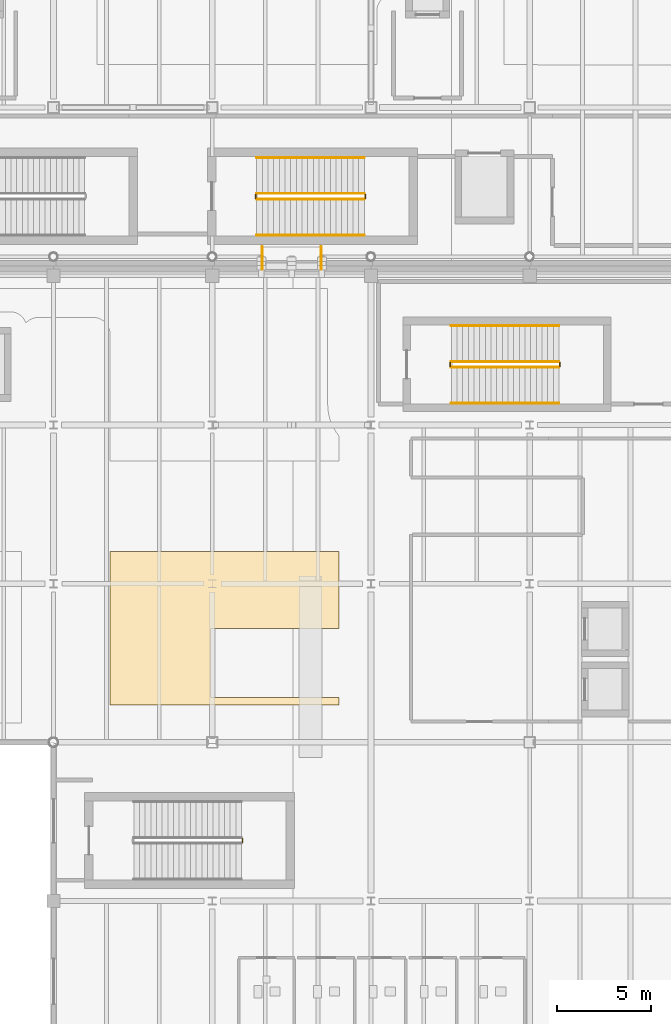
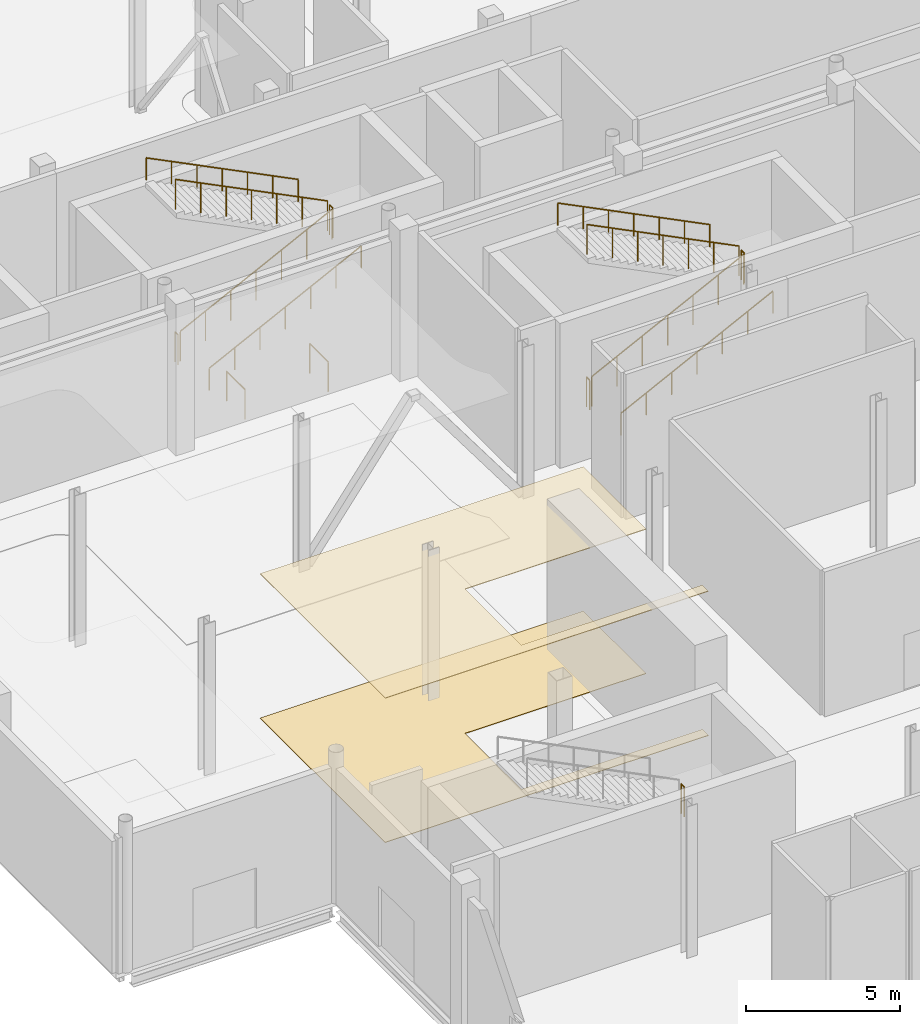
# One storey, part 80 of 85: 15 railings, 2 coverings.
"""IFC4 building model written with IfcOpenShell, lengths in metres."""

from ifc_helpers import new_model, si_unit, direction, frame, origin, origin_2d, place, context, subcontext, project, spatial, polyline, circle, outline, extrude, material, layer, layer_set, type_object, element, save


model = new_model("IFC4")

# Units and contexts
model_context = context("Model", 3, precision=1e-05, world=origin(), true_north=direction((0.0, 1.0)))
body_context = subcontext(model_context, "Body", "Model", "MODEL_VIEW")
ifc_project = project(units=[si_unit("LENGTHUNIT", "METRE"), si_unit("AREAUNIT", "SQUARE_METRE"), si_unit("VOLUMEUNIT", "CUBIC_METRE"), si_unit("PLANEANGLEUNIT", "RADIAN"), si_unit("MASSUNIT", "GRAM", prefix="KILO"), si_unit("THERMODYNAMICTEMPERATUREUNIT", "KELVIN")], contexts=[model_context])

# Site, building, storey
site_placement = place(None, origin())
site = spatial("IfcSite", under=ifc_project, at=site_placement, CompositionType="ELEMENT")
building_placement = place(site_placement, origin())
building = spatial("IfcBuilding", under=site, at=building_placement, Name="Lustrewick Department Store", CompositionType="ELEMENT")
storey_placement = place(building_placement, origin())
storey = spatial("IfcBuildingStorey", under=building, at=storey_placement, Name="L01", CompositionType="ELEMENT", Elevation=0.0)

# Coverings
ifc_material_1 = material(Name="Perforated mineral-fibre acoustic ceiling board", Category="gypsum")
ifc_layer_1 = layer(ifc_material_1, 0.02490234375, Name="Perforated mineral-fibre acoustic ceiling board")
ifc_layer_set_1 = layer_set([ifc_layer_1], Name="Perforated mineral-fibre acoustic ceiling board")
covering_type_1 = type_object("IfcCoveringType", Name="COV-CEIL", PredefinedType="CEILING", material=ifc_layer_set_1)
covering_1_placement = place(storey_placement, frame((0.0, 0.0, 5.719970703125)))
element("IfcCovering", 1, at=covering_1_placement, inside=storey, type_object=covering_type_1, Name="L01 V3 Merchandise Display Alcove 1 Acoustic Ceiling", PredefinedType="CEILING", context=body_context, shape_type="SweptSolid", body=[
    extrude(outline(polyline([(120.590087890625, 27.176513671875), (132.7099609375, 27.176513671875), (132.7099609375, 27.570068359375), (125.919921875, 27.570068359375), (125.919921875, 31.22998046875), (132.7099609375, 31.22998046875), (132.7099609375, 35.31005859375), (120.590087890625, 35.31005859375), (120.590087890625, 27.176513671875)])), origin(), (0.0, 0.0, 1.0), 0.025146484375),
])
ifc_material_2 = material(Name="Polished terrazzo and porcelain floor finish", Category="masonry")
ifc_layer_2 = layer(ifc_material_2, 0.02001953125, Name="Polished terrazzo and porcelain floor finish")
ifc_layer_set_2 = layer_set([ifc_layer_2], Name="Polished terrazzo and porcelain floor finish")
covering_type_2 = type_object("IfcCoveringType", Name="COV-FLR", PredefinedType="FLOORING", material=ifc_layer_set_2)
covering_2_placement = place(storey_placement, origin())
element("IfcCovering", 2, at=covering_2_placement, inside=storey, type_object=covering_type_2, Name="L01 V3 Merchandise Display Alcove 1 Terrazzo Flooring", PredefinedType="FLOORING", context=body_context, shape_type="SweptSolid", body=[
    extrude(outline(polyline([(120.590087890625, 27.176513671875), (132.7099609375, 27.176513671875), (132.7099609375, 27.570068359375), (125.919921875, 27.570068359375), (125.919921875, 31.22998046875), (132.7099609375, 31.22998046875), (132.7099609375, 35.31005859375), (120.590087890625, 35.31005859375), (120.590087890625, 27.176513671875)])), origin(), (0.0, 0.0, 1.0), 0.02001953125),
])

# Railings
ifc_material_3 = material(Name="Laminated safety glass and bronze atrium balustrade", Category="glass")
railing_type_1 = type_object("IfcRailingType", Name="RL-BAL", PredefinedType="BALUSTRADE", material=ifc_material_3)
for number, where, name in (
    (3, (128.639892578125, 50.239990234375, 0.0), "L01 Skybridge SB34 West Guard 0011"),
    (4, (131.760009765625, 50.239990234375, 0.0), "L01 Skybridge SB34 East Guard 0012"),
):
    element("IfcRailing", number, at=place(storey_placement, frame(where)), inside=storey, type_object=railing_type_1, Name=name, PredefinedType="BALUSTRADE", context=body_context, shape_type="SweptSolid", body=[
        extrude(circle(Radius=0.02392578125, at=origin_2d()), frame((0.0, 0.0, 1.17578125), z_axis=(0.0, 1.0, 0.0), x_axis=(-1.0, 0.0, 0.0)), (0.0, 0.0, 1.0), 1.18994140625),
        extrude(circle(Radius=0.02099609375, at=origin_2d()), origin(), (0.0, 0.0, 1.0), 1.15185546875),
        extrude(circle(Radius=0.02099609375, at=origin_2d()), frame((0.0, 1.18994140625, 0.0)), (0.0, 0.0, 1.0), 1.15185546875),
    ])
ifc_material_4 = material(Name="Painted tubular steel stairwell guardrail", Category="steel")
railing_type_2 = type_object("IfcRailingType", Name="RL-STG", PredefinedType="GUARDRAIL", material=ifc_material_4)
railing_1_placement = place(storey_placement, frame((127.60009765625, 19.89990234375, 3.0)))
element("IfcRailing", 5, at=railing_1_placement, inside=storey, type_object=railing_type_2, Name="L01 ST07 Stair Guard 2", PredefinedType="GUARDRAIL", context=body_context, shape_type="SweptSolid", body=[
    extrude(circle(Radius=0.02392578125, at=origin_2d()), frame((0.0, 0.0, 1.17578125), z_axis=(0.0, 1.0, 0.0), x_axis=(-1.0, 0.0, 0.0)), (0.0, 0.0, 1.0), 0.2001953125),
    extrude(circle(Radius=0.02099609375, at=origin_2d()), origin(), (0.0, 0.0, 1.0), 1.15185546875),
    extrude(circle(Radius=0.02099609375, at=origin_2d()), frame((0.0, 0.2001953125, 0.0)), (0.0, 0.0, 1.0), 1.15185546875),
])
railing_2_placement = place(storey_placement, frame((138.64990234375, 45.050048828125, 0.14990234375)))
element("IfcRailing", 6, at=railing_2_placement, inside=storey, type_object=railing_type_2, Name="L01 ST08 Stair Guard 1", PredefinedType="GUARDRAIL", context=body_context, shape_type="SweptSolid", body=[
    extrude(circle(Radius=0.02392578125, at=origin_2d()), frame((0.0, 0.0, 1.17578125), z_axis=(0.894427191, 0.0, 0.4472135955), x_axis=(0.0, 1.0, 0.0)), (0.0, 0.0, 1.0), 6.373046875),
    extrude(circle(Radius=0.02099609375, at=origin_2d()), origin(), (0.0, 0.0, 1.0), 1.15185546875),
    extrude(circle(Radius=0.02099609375, at=origin_2d()), frame((0.949951171875, 0.0, 0.47509765625)), (0.0, 0.0, 1.0), 1.15185546875),
    extrude(circle(Radius=0.02099609375, at=origin_2d()), frame((1.900146484375, 0.0, 0.949951171875)), (0.0, 0.0, 1.0), 1.15185546875),
    extrude(circle(Radius=0.02099609375, at=origin_2d()), frame((2.85009765625, 0.0, 1.425048828125)), (0.0, 0.0, 1.0), 1.15185546875),
    extrude(circle(Radius=0.02099609375, at=origin_2d()), frame((3.800048828125, 0.0, 1.900146484375)), (0.0, 0.0, 1.0), 1.15185546875),
    extrude(circle(Radius=0.02099609375, at=origin_2d()), frame((4.750244140625, 0.0, 2.375)), (0.0, 0.0, 1.0), 1.15185546875),
    extrude(circle(Radius=0.02099609375, at=origin_2d()), frame((5.7001953125, 0.0, 2.85009765625)), (0.0, 0.0, 1.0), 1.15185546875),
])
railing_3_placement = place(storey_placement, frame((144.39990234375, 45.10009765625, 3.0)))
element("IfcRailing", 7, at=railing_3_placement, inside=storey, type_object=railing_type_2, Name="L01 ST08 Stair Guard 2", PredefinedType="GUARDRAIL", context=body_context, shape_type="SweptSolid", body=[
    extrude(circle(Radius=0.02392578125, at=origin_2d()), frame((0.0, 0.0, 1.17578125), z_axis=(0.0, 1.0, 0.0), x_axis=(-1.0, 0.0, 0.0)), (0.0, 0.0, 1.0), 0.199951171875),
    extrude(circle(Radius=0.02099609375, at=origin_2d()), origin(), (0.0, 0.0, 1.0), 1.15185546875),
    extrude(circle(Radius=0.02099609375, at=origin_2d()), frame((0.0, 0.199951171875, 0.0)), (0.0, 0.0, 1.0), 1.15185546875),
])
railing_4_placement = place(storey_placement, frame((144.35009765625, 45.35009765625, 3.14990234375)))
element("IfcRailing", 8, at=railing_4_placement, inside=storey, type_object=railing_type_2, Name="L01 ST08 Stair Guard 3", PredefinedType="GUARDRAIL", context=body_context, shape_type="SweptSolid", body=[
    extrude(circle(Radius=0.02392578125, at=origin_2d()), frame((0.0, 0.0, 1.17578125), z_axis=(-0.894427191, 0.0, 0.4472135955), x_axis=(0.0, -1.0, 0.0)), (0.0, 0.0, 1.0), 6.373046875),
    extrude(circle(Radius=0.02099609375, at=origin_2d()), origin(), (0.0, 0.0, 1.0), 1.15185546875),
    extrude(circle(Radius=0.02099609375, at=origin_2d()), frame((-0.949951171875, 0.0, 0.47509765625)), (0.0, 0.0, 1.0), 1.15185546875),
    extrude(circle(Radius=0.02099609375, at=origin_2d()), frame((-1.900146484375, 0.0, 0.949951171875)), (0.0, 0.0, 1.0), 1.15185546875),
    extrude(circle(Radius=0.02099609375, at=origin_2d()), frame((-2.85009765625, 0.0, 1.425048828125)), (0.0, 0.0, 1.0), 1.15185546875),
    extrude(circle(Radius=0.02099609375, at=origin_2d()), frame((-3.800048828125, 0.0, 1.900146484375)), (0.0, 0.0, 1.0), 1.15185546875),
    extrude(circle(Radius=0.02099609375, at=origin_2d()), frame((-4.750244140625, 0.0, 2.375)), (0.0, 0.0, 1.0), 1.15185546875),
    extrude(circle(Radius=0.02099609375, at=origin_2d()), frame((-5.7001953125, 0.0, 2.85009765625)), (0.0, 0.0, 1.0), 1.15185546875),
])
railing_5_placement = place(storey_placement, frame((138.60009765625, 45.10009765625, 0.0)))
element("IfcRailing", 9, at=railing_5_placement, inside=storey, type_object=railing_type_2, Name="L01 ST08 Stair Guard 4", PredefinedType="GUARDRAIL", context=body_context, shape_type="SweptSolid", body=[
    extrude(circle(Radius=0.02392578125, at=origin_2d()), frame((0.0, 0.0, 1.17578125), z_axis=(0.0, 1.0, 0.0), x_axis=(-1.0, 0.0, 0.0)), (0.0, 0.0, 1.0), 0.199951171875),
    extrude(circle(Radius=0.02099609375, at=origin_2d()), origin(), (0.0, 0.0, 1.0), 1.15185546875),
    extrude(circle(Radius=0.02099609375, at=origin_2d()), frame((0.0, 0.199951171875, 0.0)), (0.0, 0.0, 1.0), 1.15185546875),
])
railing_6_placement = place(storey_placement, frame((128.35009765625, 53.949951171875, 0.14990234375)))
element("IfcRailing", 10, at=railing_6_placement, inside=storey, type_object=railing_type_2, Name="L01 ST11 Stair Guard 1", PredefinedType="GUARDRAIL", context=body_context, shape_type="SweptSolid", body=[
    extrude(circle(Radius=0.02392578125, at=origin_2d()), frame((0.0, 0.0, 1.17578125), z_axis=(0.894419528903, 0.0, 0.447228919365), x_axis=(0.0, 1.0, 0.0)), (0.0, 0.0, 1.0), 6.372802734375),
    extrude(circle(Radius=0.02099609375, at=origin_2d()), origin(), (0.0, 0.0, 1.0), 1.15185546875),
    extrude(circle(Radius=0.02099609375, at=origin_2d()), frame((0.949951171875, 0.0, 0.47509765625)), (0.0, 0.0, 1.0), 1.15185546875),
    extrude(circle(Radius=0.02099609375, at=origin_2d()), frame((1.89990234375, 0.0, 0.949951171875)), (0.0, 0.0, 1.0), 1.15185546875),
    extrude(circle(Radius=0.02099609375, at=origin_2d()), frame((2.85009765625, 0.0, 1.425048828125)), (0.0, 0.0, 1.0), 1.15185546875),
    extrude(circle(Radius=0.02099609375, at=origin_2d()), frame((3.800048828125, 0.0, 1.900146484375)), (0.0, 0.0, 1.0), 1.15185546875),
    extrude(circle(Radius=0.02099609375, at=origin_2d()), frame((4.75, 0.0, 2.375)), (0.0, 0.0, 1.0), 1.15185546875),
    extrude(circle(Radius=0.02099609375, at=origin_2d()), frame((5.699951171875, 0.0, 2.85009765625)), (0.0, 0.0, 1.0), 1.15185546875),
])
railing_7_placement = place(storey_placement, frame((134.10009765625, 54.0, 3.0)))
element("IfcRailing", 11, at=railing_7_placement, inside=storey, type_object=railing_type_2, Name="L01 ST11 Stair Guard 2", PredefinedType="GUARDRAIL", context=body_context, shape_type="SweptSolid", body=[
    extrude(circle(Radius=0.02392578125, at=origin_2d()), frame((0.0, 0.0, 1.17578125), z_axis=(0.0, 1.0, 0.0), x_axis=(-1.0, 0.0, 0.0)), (0.0, 0.0, 1.0), 0.199951171875),
    extrude(circle(Radius=0.02099609375, at=origin_2d()), origin(), (0.0, 0.0, 1.0), 1.15185546875),
    extrude(circle(Radius=0.02099609375, at=origin_2d()), frame((0.0, 0.199951171875, 0.0)), (0.0, 0.0, 1.0), 1.15185546875),
])
railing_8_placement = place(storey_placement, frame((134.050048828125, 54.25, 3.14990234375)))
element("IfcRailing", 12, at=railing_8_placement, inside=storey, type_object=railing_type_2, Name="L01 ST11 Stair Guard 3", PredefinedType="GUARDRAIL", context=body_context, shape_type="SweptSolid", body=[
    extrude(circle(Radius=0.02392578125, at=origin_2d()), frame((0.0, 0.0, 1.17578125), z_axis=(-0.894419528903, 0.0, 0.447228919365), x_axis=(0.0, -1.0, 0.0)), (0.0, 0.0, 1.0), 6.372802734375),
    extrude(circle(Radius=0.02099609375, at=origin_2d()), origin(), (0.0, 0.0, 1.0), 1.15185546875),
    extrude(circle(Radius=0.02099609375, at=origin_2d()), frame((-0.949951171875, 0.0, 0.47509765625)), (0.0, 0.0, 1.0), 1.15185546875),
    extrude(circle(Radius=0.02099609375, at=origin_2d()), frame((-1.89990234375, 0.0, 0.949951171875)), (0.0, 0.0, 1.0), 1.15185546875),
    extrude(circle(Radius=0.02099609375, at=origin_2d()), frame((-2.85009765625, 0.0, 1.425048828125)), (0.0, 0.0, 1.0), 1.15185546875),
    extrude(circle(Radius=0.02099609375, at=origin_2d()), frame((-3.800048828125, 0.0, 1.900146484375)), (0.0, 0.0, 1.0), 1.15185546875),
    extrude(circle(Radius=0.02099609375, at=origin_2d()), frame((-4.75, 0.0, 2.375)), (0.0, 0.0, 1.0), 1.15185546875),
    extrude(circle(Radius=0.02099609375, at=origin_2d()), frame((-5.699951171875, 0.0, 2.85009765625)), (0.0, 0.0, 1.0), 1.15185546875),
])
railing_9_placement = place(storey_placement, frame((128.300048828125, 54.0, 0.0)))
element("IfcRailing", 13, at=railing_9_placement, inside=storey, type_object=railing_type_2, Name="L01 ST11 Stair Guard 4", PredefinedType="GUARDRAIL", context=body_context, shape_type="SweptSolid", body=[
    extrude(circle(Radius=0.02392578125, at=origin_2d()), frame((0.0, 0.0, 1.17578125), z_axis=(0.0, 1.0, 0.0), x_axis=(-1.0, 0.0, 0.0)), (0.0, 0.0, 1.0), 0.199951171875),
    extrude(circle(Radius=0.02099609375, at=origin_2d()), origin(), (0.0, 0.0, 1.0), 1.15185546875),
    extrude(circle(Radius=0.02099609375, at=origin_2d()), frame((0.0, 0.199951171875, 0.0)), (0.0, 0.0, 1.0), 1.15185546875),
])
ifc_material_5 = material(Name="Brushed stainless steel wall handrail", Category="steel")
railing_type_3 = type_object("IfcRailingType", Name="RL-STH", PredefinedType="HANDRAIL", material=ifc_material_5)
railing_10_placement = place(storey_placement, frame((138.64990234375, 43.14990234375, 0.14990234375)))
element("IfcRailing", 14, at=railing_10_placement, inside=storey, type_object=railing_type_3, Name="L01 ST08 Stair Handrail 1", PredefinedType="HANDRAIL", context=body_context, shape_type="SweptSolid", body=[
    extrude(circle(Radius=0.02392578125, at=origin_2d()), frame((0.0, 0.0, 0.8759765625), z_axis=(0.894427191, 0.0, 0.4472135955), x_axis=(0.0, 1.0, 0.0)), (0.0, 0.0, 1.0), 6.373046875),
    extrude(circle(Radius=0.02099609375, at=origin_2d()), origin(), (0.0, 0.0, 1.0), 0.851806640625),
    extrude(circle(Radius=0.02099609375, at=origin_2d()), frame((0.949951171875, 0.0, 0.47509765625)), (0.0, 0.0, 1.0), 0.851806640625),
    extrude(circle(Radius=0.02099609375, at=origin_2d()), frame((1.900146484375, 0.0, 0.949951171875)), (0.0, 0.0, 1.0), 0.851806640625),
    extrude(circle(Radius=0.02099609375, at=origin_2d()), frame((2.85009765625, 0.0, 1.425048828125)), (0.0, 0.0, 1.0), 0.851806640625),
    extrude(circle(Radius=0.02099609375, at=origin_2d()), frame((3.800048828125, 0.0, 1.900146484375)), (0.0, 0.0, 1.0), 0.851806640625),
    extrude(circle(Radius=0.02099609375, at=origin_2d()), frame((4.750244140625, 0.0, 2.375)), (0.0, 0.0, 1.0), 0.851806640625),
    extrude(circle(Radius=0.02099609375, at=origin_2d()), frame((5.7001953125, 0.0, 2.85009765625)), (0.0, 0.0, 1.0), 0.851806640625),
])
railing_11_placement = place(storey_placement, frame((144.35009765625, 47.25, 3.14990234375)))
element("IfcRailing", 15, at=railing_11_placement, inside=storey, type_object=railing_type_3, Name="L01 ST08 Stair Handrail 2", PredefinedType="HANDRAIL", context=body_context, shape_type="SweptSolid", body=[
    extrude(circle(Radius=0.02392578125, at=origin_2d()), frame((0.0, 0.0, 0.8759765625), z_axis=(-0.894427191, 0.0, 0.4472135955), x_axis=(0.0, -1.0, 0.0)), (0.0, 0.0, 1.0), 6.373046875),
    extrude(circle(Radius=0.02099609375, at=origin_2d()), origin(), (0.0, 0.0, 1.0), 0.851806640625),
    extrude(circle(Radius=0.02099609375, at=origin_2d()), frame((-0.949951171875, 0.0, 0.47509765625)), (0.0, 0.0, 1.0), 0.851806640625),
    extrude(circle(Radius=0.02099609375, at=origin_2d()), frame((-1.900146484375, 0.0, 0.949951171875)), (0.0, 0.0, 1.0), 0.851806640625),
    extrude(circle(Radius=0.02099609375, at=origin_2d()), frame((-2.85009765625, 0.0, 1.425048828125)), (0.0, 0.0, 1.0), 0.851806640625),
    extrude(circle(Radius=0.02099609375, at=origin_2d()), frame((-3.800048828125, 0.0, 1.900146484375)), (0.0, 0.0, 1.0), 0.851806640625),
    extrude(circle(Radius=0.02099609375, at=origin_2d()), frame((-4.750244140625, 0.0, 2.375)), (0.0, 0.0, 1.0), 0.851806640625),
    extrude(circle(Radius=0.02099609375, at=origin_2d()), frame((-5.7001953125, 0.0, 2.85009765625)), (0.0, 0.0, 1.0), 0.851806640625),
])
railing_12_placement = place(storey_placement, frame((128.35009765625, 52.050048828125, 0.14990234375)))
element("IfcRailing", 16, at=railing_12_placement, inside=storey, type_object=railing_type_3, Name="L01 ST11 Stair Handrail 1", PredefinedType="HANDRAIL", context=body_context, shape_type="SweptSolid", body=[
    extrude(circle(Radius=0.02392578125, at=origin_2d()), frame((0.0, 0.0, 0.8759765625), z_axis=(0.894419528903, 0.0, 0.447228919365), x_axis=(0.0, 1.0, 0.0)), (0.0, 0.0, 1.0), 6.372802734375),
    extrude(circle(Radius=0.02099609375, at=origin_2d()), origin(), (0.0, 0.0, 1.0), 0.851806640625),
    extrude(circle(Radius=0.02099609375, at=origin_2d()), frame((0.949951171875, 0.0, 0.47509765625)), (0.0, 0.0, 1.0), 0.851806640625),
    extrude(circle(Radius=0.02099609375, at=origin_2d()), frame((1.89990234375, 0.0, 0.949951171875)), (0.0, 0.0, 1.0), 0.851806640625),
    extrude(circle(Radius=0.02099609375, at=origin_2d()), frame((2.85009765625, 0.0, 1.425048828125)), (0.0, 0.0, 1.0), 0.851806640625),
    extrude(circle(Radius=0.02099609375, at=origin_2d()), frame((3.800048828125, 0.0, 1.900146484375)), (0.0, 0.0, 1.0), 0.851806640625),
    extrude(circle(Radius=0.02099609375, at=origin_2d()), frame((4.75, 0.0, 2.375)), (0.0, 0.0, 1.0), 0.851806640625),
    extrude(circle(Radius=0.02099609375, at=origin_2d()), frame((5.699951171875, 0.0, 2.85009765625)), (0.0, 0.0, 1.0), 0.851806640625),
])
railing_13_placement = place(storey_placement, frame((134.050048828125, 56.14990234375, 3.14990234375)))
element("IfcRailing", 17, at=railing_13_placement, inside=storey, type_object=railing_type_3, Name="L01 ST11 Stair Handrail 2", PredefinedType="HANDRAIL", context=body_context, shape_type="SweptSolid", body=[
    extrude(circle(Radius=0.02392578125, at=origin_2d()), frame((0.0, 0.0, 0.8759765625), z_axis=(-0.894419528903, 0.0, 0.447228919365), x_axis=(0.0, -1.0, 0.0)), (0.0, 0.0, 1.0), 6.372802734375),
    extrude(circle(Radius=0.02099609375, at=origin_2d()), origin(), (0.0, 0.0, 1.0), 0.851806640625),
    extrude(circle(Radius=0.02099609375, at=origin_2d()), frame((-0.949951171875, 0.0, 0.47509765625)), (0.0, 0.0, 1.0), 0.851806640625),
    extrude(circle(Radius=0.02099609375, at=origin_2d()), frame((-1.89990234375, 0.0, 0.949951171875)), (0.0, 0.0, 1.0), 0.851806640625),
    extrude(circle(Radius=0.02099609375, at=origin_2d()), frame((-2.85009765625, 0.0, 1.425048828125)), (0.0, 0.0, 1.0), 0.851806640625),
    extrude(circle(Radius=0.02099609375, at=origin_2d()), frame((-3.800048828125, 0.0, 1.900146484375)), (0.0, 0.0, 1.0), 0.851806640625),
    extrude(circle(Radius=0.02099609375, at=origin_2d()), frame((-4.75, 0.0, 2.375)), (0.0, 0.0, 1.0), 0.851806640625),
    extrude(circle(Radius=0.02099609375, at=origin_2d()), frame((-5.699951171875, 0.0, 2.85009765625)), (0.0, 0.0, 1.0), 0.851806640625),
])

save(model, "model.ifc")
